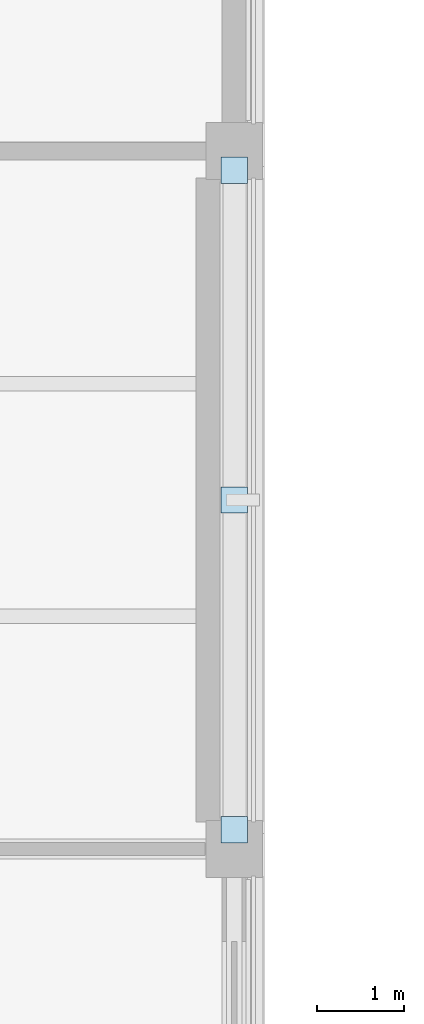
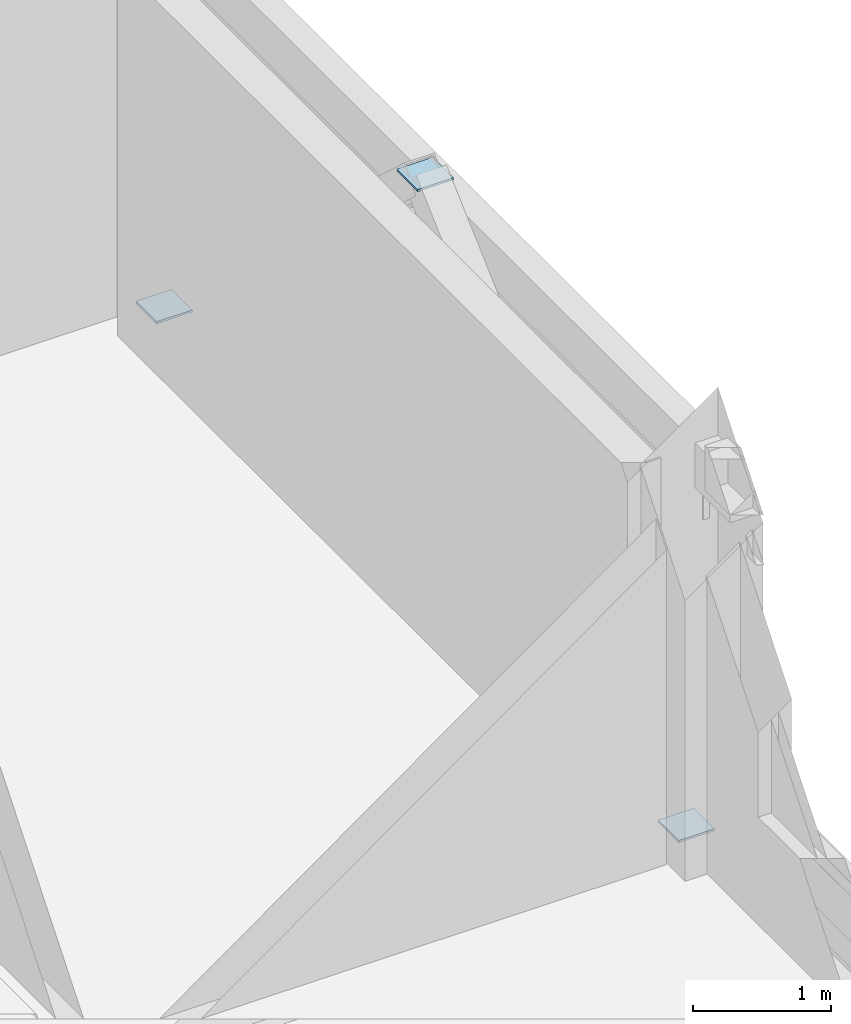
# One storey, part 73 of 107: 3 plates.
"""IFC4 building model written with IfcOpenShell, lengths in metres."""

from ifc_helpers import new_model, si_unit, derived_unit, direction, frame, origin, origin_2d, place, context, subcontext, project, spatial, rectangle, extrude, material, layer, layer_set, type_object, element, save


model = new_model("IFC4")

# Units and contexts
model_context = context("Model", 3, precision=1e-05, world=origin(), true_north=direction((0.0, 1.0)))
body_context = subcontext(model_context, "Body", "Model", "MODEL_VIEW")
ifc_project = project(units=[si_unit("LENGTHUNIT", "METRE"), si_unit("AREAUNIT", "SQUARE_METRE"), si_unit("VOLUMEUNIT", "CUBIC_METRE"), si_unit("PLANEANGLEUNIT", "RADIAN"), si_unit("MASSUNIT", "GRAM", prefix="KILO"), derived_unit("THERMALTRANSMITTANCEUNIT", [(si_unit("MASSUNIT", "GRAM", prefix="KILO"), 1), (si_unit("TIMEUNIT", "SECOND"), -3), (si_unit("THERMODYNAMICTEMPERATUREUNIT", "KELVIN"), -1)])], contexts=[model_context])

# Site, building, storey
site_placement = place(None, origin())
site = spatial("IfcSite", under=ifc_project, at=site_placement, CompositionType="ELEMENT")
building_placement = place(site_placement, origin())
building = spatial("IfcBuilding", under=site, at=building_placement, Name="Veyamyaing Civic Hall", CompositionType="ELEMENT")
storey_placement = place(building_placement, frame((0.0, 0.0, 13.860107421875)))
storey = spatial("IfcBuildingStorey", under=building, at=storey_placement, Name="L03", CompositionType="ELEMENT", Elevation=13.860107421875)

# Plates
ifc_material = material(Name="Steel S355J2", Category="steel")
ifc_layer = layer(ifc_material, 0.02001953125, Name="Steel S355J2")
ifc_layer_set = layer_set([ifc_layer], Name="Steel S355J2")
plate_type = type_object("IfcPlateType", Name="GP-01", PredefinedType="SHEET", material=ifc_layer_set)
for number, where, z_axis, x_axis, name in (
    (1, (176.0, 88.219970703125, 0.039794921875), (0.0, 0.0, 1.0), (1.0, 0.0, 0.0), "Brace base gusset plate GP-01 BF-NE L03.L"),
    (2, (176.0, 95.780029296875, 0.039794921875), (0.0, 0.0, 1.0), (1.0, 0.0, 0.0), "Brace base gusset plate GP-01 BF-NE L03.R"),
    (3, (176.0, 92.0, 3.5), (0.0, 0.0, 1.0), (1.0, 0.0, 0.0), "Brace apex gusset plate GP-01 BF-NE L03"),
):
    element("IfcPlate", number, at=place(storey_placement, frame(where, z_axis=z_axis, x_axis=x_axis)), inside=storey, type_object=plate_type, Name=name, PredefinedType="SHEET", context=body_context, shape_type="SweptSolid", body=[
        extrude(rectangle(XDim=0.300048828125, YDim=0.300048828125, at=origin_2d()), origin(), (0.0, 0.0, 1.0), 0.02001953125),
    ])

save(model, "model.ifc")
